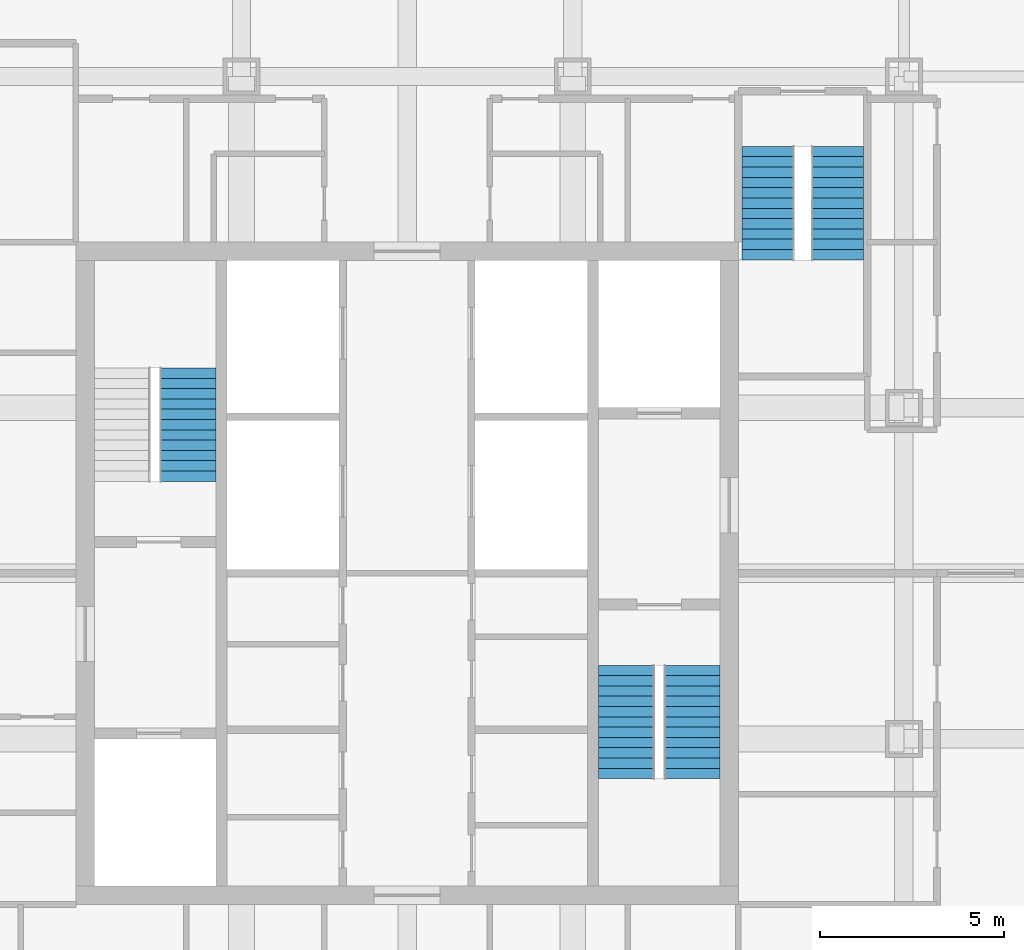
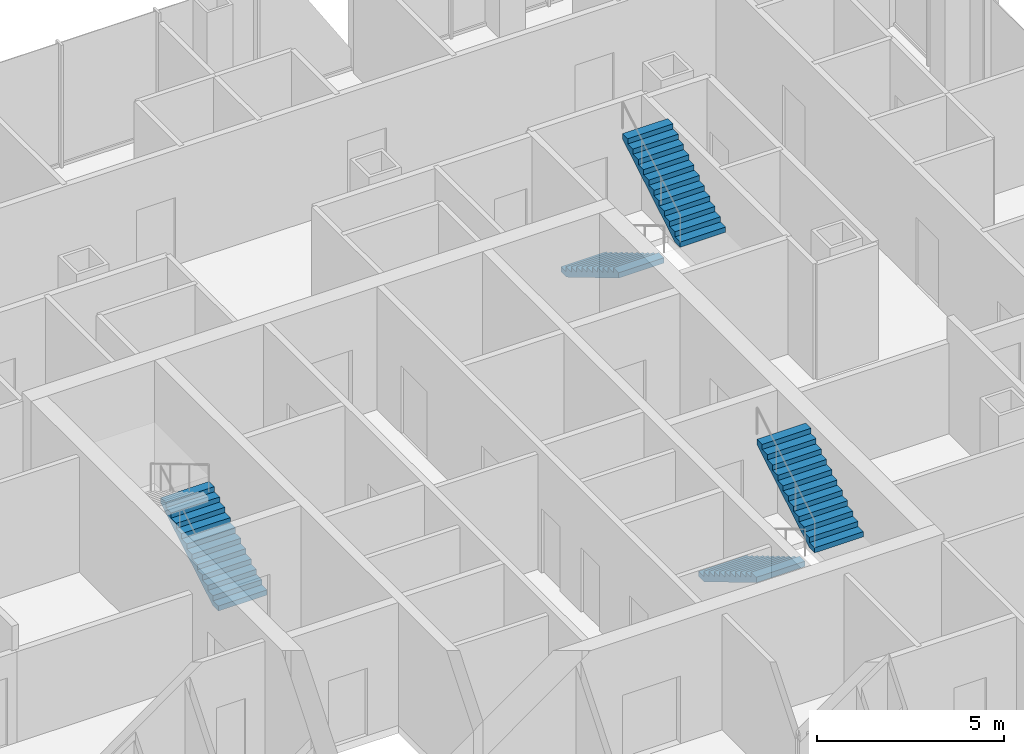
# One storey, part 16 of 21: 5 stair flights, 3 elements without a shape of their own.
"""IFC4 building model written with IfcOpenShell, lengths in metres."""

from ifc_helpers import new_model, si_unit, direction, frame, origin, place, context, subcontext, project, spatial, polyline, outline, extrude, material, type_object, element, aggregate, save


model = new_model("IFC4")

# Units and contexts
model_context = context("Model", 3, precision=1e-05, world=origin(), true_north=direction((0.0, 1.0)))
body_context = subcontext(model_context, "Body", "Model", "MODEL_VIEW")
ifc_project = project(units=[si_unit("LENGTHUNIT", "METRE"), si_unit("AREAUNIT", "SQUARE_METRE"), si_unit("VOLUMEUNIT", "CUBIC_METRE"), si_unit("PLANEANGLEUNIT", "RADIAN"), si_unit("MASSUNIT", "GRAM", prefix="KILO")], contexts=[model_context])

# Site, building, storey
site_placement = place(None, origin())
site = spatial("IfcSite", under=ifc_project, at=site_placement, CompositionType="ELEMENT")
building_placement = place(site_placement, origin())
building = spatial("IfcBuilding", under=site, at=building_placement, Name="Malebo Sky Hospital", CompositionType="ELEMENT")
storey_placement = place(building_placement, frame((0.0, 0.0, 229.0)))
storey = spatial("IfcBuildingStorey", under=building, at=storey_placement, Name="L55", CompositionType="ELEMENT", Elevation=229.0)

# Stair, stair flights
ifc_material = material(Name="Concrete C40/50", Category="concrete")
stair_type_1 = type_object("IfcStairType", Name="HALF-TURN STAIR 1400 R167", PredefinedType="HALF_TURN_STAIR", material=ifc_material)
stair_1_placement = place(storey_placement, origin())
stair_1 = element("IfcStair", 1, at=stair_1_placement, inside=storey, type_object=stair_type_1, Name="Stair S3 L55 type ST1B", PredefinedType="HALF_TURN_STAIR")
stair_flight_type_1 = type_object("IfcStairFlightType", Name="STAIR FLIGHT 1400 R167", PredefinedType="STRAIGHT", material=ifc_material)
stair_flight_1_placement = place(storey_placement, frame((69.800048828125, 73.60009765625, 0.0), z_axis=(0.0, 0.0, 1.0), x_axis=(0.0, -1.0, 0.0)))
stair_flight_1 = element("IfcStairFlight", 2, at=stair_flight_1_placement, type_object=stair_flight_type_1, Name="S3 flight 1 type SF1B", NumberOfRisers=12, NumberOfTreads=11, PredefinedType="STRAIGHT", RiserHeight=0.166666667, TreadLength=0.28, context=body_context, shape_type="SweptSolid", body=[
    extrude(outline(polyline([(0.0, 0.0), (0.0, 0.166748046875), (0.280029296875, 0.166748046875), (0.280029296875, 0.333251953125), (0.56005859375, 0.333251953125), (0.56005859375, 0.5), (0.840087890625, 0.5), (0.840087890625, 0.666748046875), (1.1201171875, 0.666748046875), (1.1201171875, 0.833251953125), (1.39990234375, 0.833251953125), (1.39990234375, 1.0), (1.679931640625, 1.0), (1.679931640625, 1.166748046875), (1.9599609375, 1.166748046875), (1.9599609375, 1.333251953125), (2.239990234375, 1.333251953125), (2.239990234375, 1.5), (2.52001953125, 1.5), (2.52001953125, 1.666748046875), (2.800048828125, 1.666748046875), (2.800048828125, 1.833251953125), (3.080078125, 1.833251953125), (3.080078125, 2.0), (3.080078125, 1.658935546875), (0.29296875, 0.0), (0.0, 0.0)])), frame((0.0, 0.699951171875, 0.0), z_axis=(0.0, -1.0, 0.0), x_axis=(1.0, 0.0, 0.0)), (0.0, 0.0, 1.0), 1.39990234375),
])
stair_flight_2_placement = place(storey_placement, frame((71.699951171875, 70.52001953125, 2.0), z_axis=(0.0, 0.0, 1.0), x_axis=(0.0, 1.0, 0.0)))
stair_flight_2 = element("IfcStairFlight", 3, at=stair_flight_2_placement, type_object=stair_flight_type_1, Name="S3 flight 2 type SF1B", NumberOfRisers=12, NumberOfTreads=11, PredefinedType="STRAIGHT", RiserHeight=0.166666667, TreadLength=0.28, context=body_context, shape_type="SweptSolid", body=[
    extrude(outline(polyline([(0.0, 0.0), (0.0, 0.166748046875), (0.280029296875, 0.166748046875), (0.280029296875, 0.333251953125), (0.56005859375, 0.333251953125), (0.56005859375, 0.5), (0.840087890625, 0.5), (0.840087890625, 0.666748046875), (1.1201171875, 0.666748046875), (1.1201171875, 0.833251953125), (1.39990234375, 0.833251953125), (1.39990234375, 1.0), (1.679931640625, 1.0), (1.679931640625, 1.166748046875), (1.9599609375, 1.166748046875), (1.9599609375, 1.333251953125), (2.239990234375, 1.333251953125), (2.239990234375, 1.5), (2.52001953125, 1.5), (2.52001953125, 1.666748046875), (2.800048828125, 1.666748046875), (2.800048828125, 1.833251953125), (3.080078125, 1.833251953125), (3.080078125, 2.0), (3.080078125, 1.658935546875), (0.29296875, 0.0), (0.0, 0.0)])), frame((0.0, 0.699951171875, 0.0), z_axis=(0.0, -1.0, 0.0), x_axis=(1.0, 0.0, 0.0)), (0.0, 0.0, 1.0), 1.39990234375),
])
aggregate(stair_1, [stair_flight_1, stair_flight_2])

# Stair, stair flight
stair_type_2 = type_object("IfcStairType", Name="HALF-TURN STAIR 1500 R167", PredefinedType="HALF_TURN_STAIR", material=ifc_material)
stair_2_placement = place(storey_placement, origin())
stair_2 = element("IfcStair", 4, at=stair_2_placement, inside=storey, type_object=stair_type_2, Name="Stair S1 L55 type ST1", PredefinedType="HALF_TURN_STAIR")
stair_flight_type_2 = type_object("IfcStairFlightType", Name="STAIR FLIGHT 1500 R167", PredefinedType="STRAIGHT", material=ifc_material)
stair_flight_3_placement = place(storey_placement, frame((54.050048828125, 64.5, 0.0), z_axis=(0.0, 0.0, 1.0), x_axis=(0.0, 1.0, 0.0)))
stair_flight_3 = element("IfcStairFlight", 5, at=stair_flight_3_placement, type_object=stair_flight_type_2, Name="S1 flight 1 type SF1", NumberOfRisers=12, NumberOfTreads=11, PredefinedType="STRAIGHT", RiserHeight=0.166666667, TreadLength=0.28, context=body_context, shape_type="SweptSolid", body=[
    extrude(outline(polyline([(0.0, 0.0), (0.0, 0.166748046875), (0.280029296875, 0.166748046875), (0.280029296875, 0.333251953125), (0.56005859375, 0.333251953125), (0.56005859375, 0.5), (0.840087890625, 0.5), (0.840087890625, 0.666748046875), (1.1201171875, 0.666748046875), (1.1201171875, 0.833251953125), (1.39990234375, 0.833251953125), (1.39990234375, 1.0), (1.679931640625, 1.0), (1.679931640625, 1.166748046875), (1.9599609375, 1.166748046875), (1.9599609375, 1.333251953125), (2.239990234375, 1.333251953125), (2.239990234375, 1.5), (2.52001953125, 1.5), (2.52001953125, 1.666748046875), (2.800048828125, 1.666748046875), (2.800048828125, 1.833251953125), (3.080078125, 1.833251953125), (3.080078125, 2.0), (3.080078125, 1.658935546875), (0.29296875, 0.0), (0.0, 0.0)])), frame((0.0, 0.75, 0.0), z_axis=(0.0, -1.0, 0.0), x_axis=(1.0, 0.0, 0.0)), (0.0, 0.0, 1.0), 1.5),
])
aggregate(stair_2, [stair_flight_3])

# Stair, stair flights
stair_3_placement = place(storey_placement, origin())
stair_3 = element("IfcStair", 6, at=stair_3_placement, inside=storey, type_object=stair_type_2, Name="Stair S2 L55 type ST1", PredefinedType="HALF_TURN_STAIR")
stair_flight_4_placement = place(storey_placement, frame((65.949951171875, 59.5, 0.0), z_axis=(0.0, 0.0, 1.0), x_axis=(0.0, -1.0, 0.0)))
stair_flight_4 = element("IfcStairFlight", 7, at=stair_flight_4_placement, type_object=stair_flight_type_2, Name="S2 flight 1 type SF1", NumberOfRisers=12, NumberOfTreads=11, PredefinedType="STRAIGHT", RiserHeight=0.166666667, TreadLength=0.28, context=body_context, shape_type="SweptSolid", body=[
    extrude(outline(polyline([(0.0, 0.0), (0.0, 0.166748046875), (0.280029296875, 0.166748046875), (0.280029296875, 0.333251953125), (0.56005859375, 0.333251953125), (0.56005859375, 0.5), (0.840087890625, 0.5), (0.840087890625, 0.666748046875), (1.1201171875, 0.666748046875), (1.1201171875, 0.833251953125), (1.39990234375, 0.833251953125), (1.39990234375, 1.0), (1.679931640625, 1.0), (1.679931640625, 1.166748046875), (1.9599609375, 1.166748046875), (1.9599609375, 1.333251953125), (2.239990234375, 1.333251953125), (2.239990234375, 1.5), (2.52001953125, 1.5), (2.52001953125, 1.666748046875), (2.800048828125, 1.666748046875), (2.800048828125, 1.833251953125), (3.080078125, 1.833251953125), (3.080078125, 2.0), (3.080078125, 1.658935546875), (0.29296875, 0.0), (0.0, 0.0)])), frame((0.0, 0.75, 0.0), z_axis=(0.0, -1.0, 0.0), x_axis=(1.0, 0.0, 0.0)), (0.0, 0.0, 1.0), 1.5),
])
stair_flight_5_placement = place(storey_placement, frame((67.75, 56.419921875, 2.0), z_axis=(0.0, 0.0, 1.0), x_axis=(0.0, 1.0, 0.0)))
stair_flight_5 = element("IfcStairFlight", 8, at=stair_flight_5_placement, type_object=stair_flight_type_2, Name="S2 flight 2 type SF1", NumberOfRisers=12, NumberOfTreads=11, PredefinedType="STRAIGHT", RiserHeight=0.166666667, TreadLength=0.28, context=body_context, shape_type="SweptSolid", body=[
    extrude(outline(polyline([(0.0, 0.0), (0.0, 0.166748046875), (0.280029296875, 0.166748046875), (0.280029296875, 0.333251953125), (0.56005859375, 0.333251953125), (0.56005859375, 0.5), (0.840087890625, 0.5), (0.840087890625, 0.666748046875), (1.1201171875, 0.666748046875), (1.1201171875, 0.833251953125), (1.39990234375, 0.833251953125), (1.39990234375, 1.0), (1.679931640625, 1.0), (1.679931640625, 1.166748046875), (1.9599609375, 1.166748046875), (1.9599609375, 1.333251953125), (2.239990234375, 1.333251953125), (2.239990234375, 1.5), (2.52001953125, 1.5), (2.52001953125, 1.666748046875), (2.800048828125, 1.666748046875), (2.800048828125, 1.833251953125), (3.080078125, 1.833251953125), (3.080078125, 2.0), (3.080078125, 1.658935546875), (0.29296875, 0.0), (0.0, 0.0)])), frame((0.0, 0.75, 0.0), z_axis=(0.0, -1.0, 0.0), x_axis=(1.0, 0.0, 0.0)), (0.0, 0.0, 1.0), 1.5),
])
aggregate(stair_3, [stair_flight_4, stair_flight_5])

save(model, "model.ifc")
